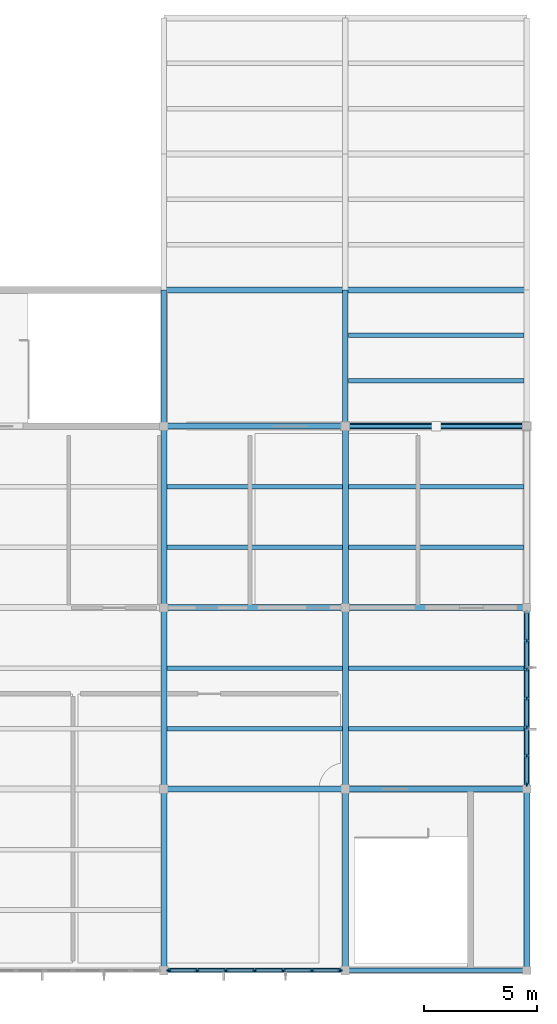
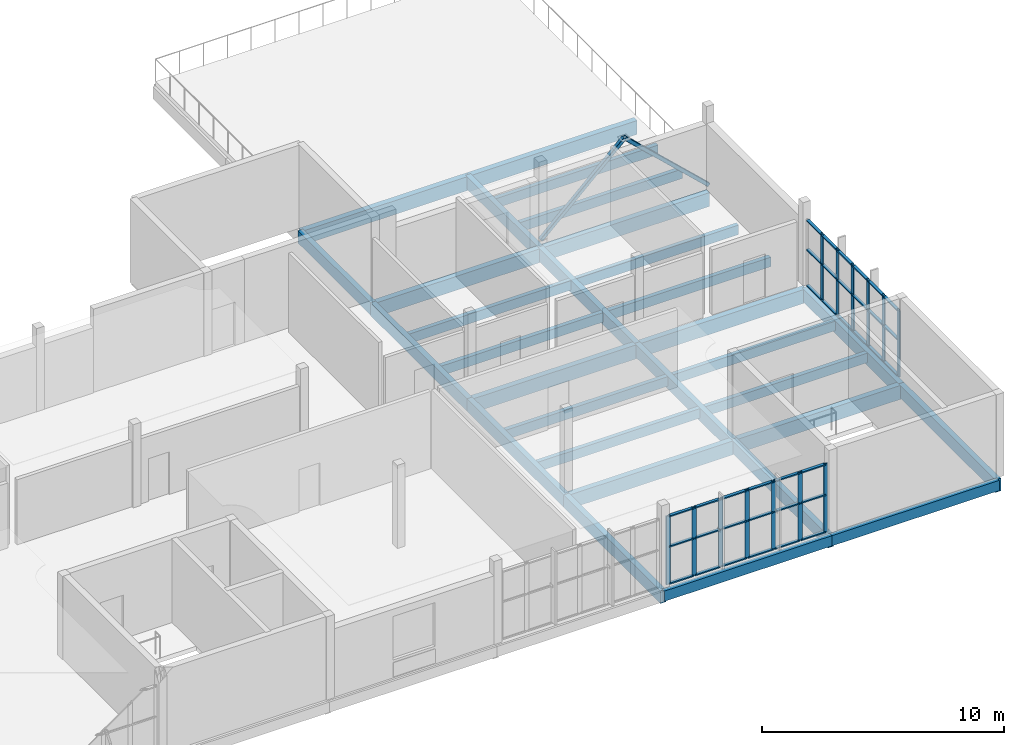
# One storey, part 5 of 15: 51 members, 30 beams, 2 elements without a shape of their own.
"""IFC4 building model written with IfcOpenShell, lengths in metres."""

from ifc_helpers import new_model, si_unit, direction, frame, origin, origin_2d, place, context, subcontext, project, spatial, rectangle, hollow_rectangle, extrude, material, layer, layer_set, material_profile, profile_set, type_object, element, aggregate, save


model = new_model("IFC4")

# Units and contexts
model_context = context("Model", 3, precision=1e-05, world=origin(), true_north=direction((0.0, 1.0)))
body_context = subcontext(model_context, "Body", "Model", "MODEL_VIEW")
ifc_project = project(units=[si_unit("LENGTHUNIT", "METRE"), si_unit("AREAUNIT", "SQUARE_METRE"), si_unit("VOLUMEUNIT", "CUBIC_METRE"), si_unit("PLANEANGLEUNIT", "RADIAN"), si_unit("MASSUNIT", "GRAM", prefix="KILO")], contexts=[model_context])

# Site, building, storey
site_placement = place(None, origin())
site = spatial("IfcSite", under=ifc_project, at=site_placement, CompositionType="ELEMENT")
building_placement = place(site_placement, origin())
building = spatial("IfcBuilding", under=site, at=building_placement, Name="Solvane Community Centre", CompositionType="ELEMENT")
storey_placement = place(building_placement, frame((0.0, 0.0, 18.0)))
storey = spatial("IfcBuildingStorey", under=building, at=storey_placement, Name="L04", CompositionType="ELEMENT", Elevation=18.0)

# Curtain wall, members
ifc_material_1 = material(Name="Anodised bronze aluminium AW-6063 T6", Category="aluminium")
ifc_layer_1 = layer(ifc_material_1, 0.199951171875)
ifc_layer_set_1 = layer_set([ifc_layer_1], Name="Anodised bronze aluminium AW-6063 T6")
curtain_wall_type_1 = type_object("IfcCurtainWallType", Name="Courtyard Cloister Curtain Wall [76x35dm]", PredefinedType="NOTDEFINED", material=ifc_layer_set_1)
curtain_wall_1_placement = place(storey_placement, origin())
curtain_wall_1 = element("IfcCurtainWall", 1, at=curtain_wall_1_placement, inside=storey, type_object=curtain_wall_type_1, Name="Curtain Wall CW-L04-1318_60-231", PredefinedType="NOTDEFINED")
ifc_material_profile_1 = material_profile(ifc_material_1, rectangle(XDim=0.06005859375, YDim=0.199951171875, at=origin_2d()), Name="CW-M 60x200")
ifc_profile_set_1 = profile_set([ifc_material_profile_1], Name="Anodised bronze aluminium AW-6063 T6")
member_type_1 = type_object("IfcMemberType", Name="Cloister Mullion 60x200", PredefinedType="MULLION", material=ifc_profile_set_1)
member_1_placement = place(storey_placement, frame((131.764892578125, 6.0, 0.0), z_axis=(0.0, 0.0, 1.0), x_axis=(0.0, -1.0, 0.0)))
member_1 = element("IfcMember", 2, at=member_1_placement, type_object=member_type_1, Name="CW03-76x35 mullion 1", PredefinedType="MULLION", context=body_context, shape_type="SweptSolid", body=[
    extrude(rectangle(XDim=0.06005859375, YDim=0.199951171875, at=origin_2d()), origin(), (0.0, 0.0, 1.0), 3.465087890625),
])
member_2_placement = place(storey_placement, frame((130.530029296875, 6.0, 0.0), z_axis=(0.0, 0.0, 1.0), x_axis=(0.0, -1.0, 0.0)))
member_2 = element("IfcMember", 3, at=member_2_placement, type_object=member_type_1, Name="CW03-76x35 mullion 2", PredefinedType="MULLION", context=body_context, shape_type="SweptSolid", body=[
    extrude(rectangle(XDim=0.06005859375, YDim=0.199951171875, at=origin_2d()), origin(), (0.0, 0.0, 1.0), 3.465087890625),
])
member_3_placement = place(storey_placement, frame((129.264892578125, 6.0, 0.0), z_axis=(0.0, 0.0, 1.0), x_axis=(0.0, -1.0, 0.0)))
member_3 = element("IfcMember", 4, at=member_3_placement, type_object=member_type_1, Name="CW03-76x35 mullion 3", PredefinedType="MULLION", context=body_context, shape_type="SweptSolid", body=[
    extrude(rectangle(XDim=0.06005859375, YDim=0.199951171875, at=origin_2d()), origin(), (0.0, 0.0, 1.0), 3.465087890625),
])
member_4_placement = place(storey_placement, frame((128.0, 6.0, 0.0), z_axis=(0.0, 0.0, 1.0), x_axis=(0.0, -1.0, 0.0)))
member_4 = element("IfcMember", 5, at=member_4_placement, type_object=member_type_1, Name="CW03-76x35 mullion 4", PredefinedType="MULLION", context=body_context, shape_type="SweptSolid", body=[
    extrude(rectangle(XDim=0.06005859375, YDim=0.199951171875, at=origin_2d()), origin(), (0.0, 0.0, 1.0), 3.465087890625),
])
member_5_placement = place(storey_placement, frame((126.735107421875, 6.0, 0.0), z_axis=(0.0, 0.0, 1.0), x_axis=(0.0, -1.0, 0.0)))
member_5 = element("IfcMember", 6, at=member_5_placement, type_object=member_type_1, Name="CW03-76x35 mullion 5", PredefinedType="MULLION", context=body_context, shape_type="SweptSolid", body=[
    extrude(rectangle(XDim=0.06005859375, YDim=0.199951171875, at=origin_2d()), origin(), (0.0, 0.0, 1.0), 3.465087890625),
])
member_6_placement = place(storey_placement, frame((125.469970703125, 6.0, 0.0), z_axis=(0.0, 0.0, 1.0), x_axis=(0.0, -1.0, 0.0)))
member_6 = element("IfcMember", 7, at=member_6_placement, type_object=member_type_1, Name="CW03-76x35 mullion 6", PredefinedType="MULLION", context=body_context, shape_type="SweptSolid", body=[
    extrude(rectangle(XDim=0.06005859375, YDim=0.199951171875, at=origin_2d()), origin(), (0.0, 0.0, 1.0), 3.465087890625),
])
member_7_placement = place(storey_placement, frame((124.235107421875, 6.0, 0.0), z_axis=(0.0, 0.0, 1.0), x_axis=(0.0, -1.0, 0.0)))
member_7 = element("IfcMember", 8, at=member_7_placement, type_object=member_type_1, Name="CW03-76x35 mullion 7", PredefinedType="MULLION", context=body_context, shape_type="SweptSolid", body=[
    extrude(rectangle(XDim=0.06005859375, YDim=0.199951171875, at=origin_2d()), origin(), (0.0, 0.0, 1.0), 3.465087890625),
])

ifc_layer_2 = layer(ifc_material_1, 0.199951171875)
ifc_layer_set_2 = layer_set([ifc_layer_2], Name="Anodised bronze aluminium AW-6063 T6")
curtain_wall_type_2 = type_object("IfcCurtainWallType", Name="Courtyard Cloister Curtain Wall [76x33dm]", PredefinedType="NOTDEFINED", material=ifc_layer_set_2)
curtain_wall_2_placement = place(storey_placement, origin())
curtain_wall_2 = element("IfcCurtainWall", 9, at=curtain_wall_2_placement, inside=storey, type_object=curtain_wall_type_2, Name="Curtain Wall CW-L04-1400_218-241", PredefinedType="NOTDEFINED")
member_8_placement = place(storey_placement, frame((140.0, 20.53662109375, 0.0), z_axis=(0.0, 0.0, 1.0), x_axis=(1.0, 0.0, 0.0)))
member_8 = element("IfcMember", 10, at=member_8_placement, type_object=member_type_1, Name="CW03-76x33 mullion 2", PredefinedType="MULLION", context=body_context, shape_type="SweptSolid", body=[
    extrude(rectangle(XDim=0.06005859375, YDim=0.199951171875, at=origin_2d()), origin(), (0.0, 0.0, 1.0), 3.344970703125),
])
member_9_placement = place(storey_placement, frame((140.0, 19.268310546875, 0.0), z_axis=(0.0, 0.0, 1.0), x_axis=(1.0, 0.0, 0.0)))
member_9 = element("IfcMember", 11, at=member_9_placement, type_object=member_type_1, Name="CW03-76x33 mullion 3", PredefinedType="MULLION", context=body_context, shape_type="SweptSolid", body=[
    extrude(rectangle(XDim=0.06005859375, YDim=0.199951171875, at=origin_2d()), origin(), (0.0, 0.0, 1.0), 3.344970703125),
])
member_10_placement = place(storey_placement, frame((140.0, 18.0, 0.0), z_axis=(0.0, 0.0, 1.0), x_axis=(1.0, 0.0, 0.0)))
member_10 = element("IfcMember", 12, at=member_10_placement, type_object=member_type_1, Name="CW03-76x33 mullion 4", PredefinedType="MULLION", context=body_context, shape_type="SweptSolid", body=[
    extrude(rectangle(XDim=0.06005859375, YDim=0.199951171875, at=origin_2d()), origin(), (0.0, 0.0, 1.0), 3.344970703125),
])
member_11_placement = place(storey_placement, frame((140.0, 16.731689453125, 0.0), z_axis=(0.0, 0.0, 1.0), x_axis=(1.0, 0.0, 0.0)))
member_11 = element("IfcMember", 13, at=member_11_placement, type_object=member_type_1, Name="CW03-76x33 mullion 5", PredefinedType="MULLION", context=body_context, shape_type="SweptSolid", body=[
    extrude(rectangle(XDim=0.06005859375, YDim=0.199951171875, at=origin_2d()), origin(), (0.0, 0.0, 1.0), 3.344970703125),
])
member_12_placement = place(storey_placement, frame((140.0, 15.46337890625, 0.0), z_axis=(0.0, 0.0, 1.0), x_axis=(1.0, 0.0, 0.0)))
member_12 = element("IfcMember", 14, at=member_12_placement, type_object=member_type_1, Name="CW03-76x33 mullion 6", PredefinedType="MULLION", context=body_context, shape_type="SweptSolid", body=[
    extrude(rectangle(XDim=0.06005859375, YDim=0.199951171875, at=origin_2d()), origin(), (0.0, 0.0, 1.0), 3.344970703125),
])
member_13_placement = place(storey_placement, frame((140.0, 14.22509765625, 0.0), z_axis=(0.0, 0.0, 1.0), x_axis=(1.0, 0.0, 0.0)))
member_13 = element("IfcMember", 15, at=member_13_placement, type_object=member_type_1, Name="CW03-76x33 mullion 7", PredefinedType="MULLION", context=body_context, shape_type="SweptSolid", body=[
    extrude(rectangle(XDim=0.06005859375, YDim=0.199951171875, at=origin_2d()), origin(), (0.0, 0.0, 1.0), 3.344970703125),
])

# Member
ifc_material_profile_2 = material_profile(ifc_material_1, rectangle(XDim=0.139892578125, YDim=0.06005859375, at=origin_2d()), Name="CW-T 60x140")
ifc_profile_set_2 = profile_set([ifc_material_profile_2], Name="Anodised bronze aluminium AW-6063 T6")
member_type_2 = type_object("IfcMemberType", Name="Cloister Transom 60x140", PredefinedType="USERDEFINED", material=ifc_profile_set_2)
member_14_placement = place(storey_placement, frame((131.735107421875, 6.0, 0.030029296875), z_axis=(-1.0, 0.0, 0.0), x_axis=(0.0, -1.0, 0.0)))
member_14 = element("IfcMember", 16, at=member_14_placement, type_object=member_type_2, Name="CW03-76x35 transom 1.1", ObjectType="TRANSOM", PredefinedType="USERDEFINED", context=body_context, shape_type="SweptSolid", body=[
    extrude(rectangle(XDim=0.139892578125, YDim=0.06005859375, at=origin_2d()), origin(), (0.0, 0.0, 1.0), 1.175048828125),
])

member_15_placement = place(storey_placement, frame((131.735107421875, 6.0, 1.906005859375), z_axis=(-1.0, 0.0, 0.0), x_axis=(0.0, -1.0, 0.0)))
member_15 = element("IfcMember", 17, at=member_15_placement, type_object=member_type_2, Name="CW03-76x35 transom 1.2", ObjectType="TRANSOM", PredefinedType="USERDEFINED", context=body_context, shape_type="SweptSolid", body=[
    extrude(rectangle(XDim=0.139892578125, YDim=0.06005859375, at=origin_2d()), origin(), (0.0, 0.0, 1.0), 1.175048828125),
])

member_16_placement = place(storey_placement, frame((131.735107421875, 6.0, 3.43505859375), z_axis=(-1.0, 0.0, 0.0), x_axis=(0.0, -1.0, 0.0)))
member_16 = element("IfcMember", 18, at=member_16_placement, type_object=member_type_2, Name="CW03-76x35 transom 1.3", ObjectType="TRANSOM", PredefinedType="USERDEFINED", context=body_context, shape_type="SweptSolid", body=[
    extrude(rectangle(XDim=0.139892578125, YDim=0.06005859375, at=origin_2d()), origin(), (0.0, 0.0, 1.0), 1.175048828125),
])

member_17_placement = place(storey_placement, frame((130.5, 6.0, 0.030029296875), z_axis=(-1.0, 0.0, 0.0), x_axis=(0.0, -1.0, 0.0)))
member_17 = element("IfcMember", 19, at=member_17_placement, type_object=member_type_2, Name="CW03-76x35 transom 2.1", ObjectType="TRANSOM", PredefinedType="USERDEFINED", context=body_context, shape_type="SweptSolid", body=[
    extrude(rectangle(XDim=0.139892578125, YDim=0.06005859375, at=origin_2d()), origin(), (0.0, 0.0, 1.0), 1.205078125),
])

member_18_placement = place(storey_placement, frame((130.5, 6.0, 1.906005859375), z_axis=(-1.0, 0.0, 0.0), x_axis=(0.0, -1.0, 0.0)))
member_18 = element("IfcMember", 20, at=member_18_placement, type_object=member_type_2, Name="CW03-76x35 transom 2.2", ObjectType="TRANSOM", PredefinedType="USERDEFINED", context=body_context, shape_type="SweptSolid", body=[
    extrude(rectangle(XDim=0.139892578125, YDim=0.06005859375, at=origin_2d()), origin(), (0.0, 0.0, 1.0), 1.205078125),
])

member_19_placement = place(storey_placement, frame((130.5, 6.0, 3.43505859375), z_axis=(-1.0, 0.0, 0.0), x_axis=(0.0, -1.0, 0.0)))
member_19 = element("IfcMember", 21, at=member_19_placement, type_object=member_type_2, Name="CW03-76x35 transom 2.3", ObjectType="TRANSOM", PredefinedType="USERDEFINED", context=body_context, shape_type="SweptSolid", body=[
    extrude(rectangle(XDim=0.139892578125, YDim=0.06005859375, at=origin_2d()), origin(), (0.0, 0.0, 1.0), 1.205078125),
])

member_20_placement = place(storey_placement, frame((129.235107421875, 6.0, 0.030029296875), z_axis=(-1.0, 0.0, 0.0), x_axis=(0.0, -1.0, 0.0)))
member_20 = element("IfcMember", 22, at=member_20_placement, type_object=member_type_2, Name="CW03-76x35 transom 3.1", ObjectType="TRANSOM", PredefinedType="USERDEFINED", context=body_context, shape_type="SweptSolid", body=[
    extrude(rectangle(XDim=0.139892578125, YDim=0.06005859375, at=origin_2d()), origin(), (0.0, 0.0, 1.0), 1.205078125),
])

member_21_placement = place(storey_placement, frame((129.235107421875, 6.0, 1.906005859375), z_axis=(-1.0, 0.0, 0.0), x_axis=(0.0, -1.0, 0.0)))
member_21 = element("IfcMember", 23, at=member_21_placement, type_object=member_type_2, Name="CW03-76x35 transom 3.2", ObjectType="TRANSOM", PredefinedType="USERDEFINED", context=body_context, shape_type="SweptSolid", body=[
    extrude(rectangle(XDim=0.139892578125, YDim=0.06005859375, at=origin_2d()), origin(), (0.0, 0.0, 1.0), 1.205078125),
])

member_22_placement = place(storey_placement, frame((129.235107421875, 6.0, 3.43505859375), z_axis=(-1.0, 0.0, 0.0), x_axis=(0.0, -1.0, 0.0)))
member_22 = element("IfcMember", 24, at=member_22_placement, type_object=member_type_2, Name="CW03-76x35 transom 3.3", ObjectType="TRANSOM", PredefinedType="USERDEFINED", context=body_context, shape_type="SweptSolid", body=[
    extrude(rectangle(XDim=0.139892578125, YDim=0.06005859375, at=origin_2d()), origin(), (0.0, 0.0, 1.0), 1.205078125),
])

member_23_placement = place(storey_placement, frame((127.969970703125, 6.0, 0.030029296875), z_axis=(-1.0, 0.0, 0.0), x_axis=(0.0, -1.0, 0.0)))
member_23 = element("IfcMember", 25, at=member_23_placement, type_object=member_type_2, Name="CW03-76x35 transom 4.1", ObjectType="TRANSOM", PredefinedType="USERDEFINED", context=body_context, shape_type="SweptSolid", body=[
    extrude(rectangle(XDim=0.139892578125, YDim=0.06005859375, at=origin_2d()), origin(), (0.0, 0.0, 1.0), 1.205078125),
])

member_24_placement = place(storey_placement, frame((127.969970703125, 6.0, 1.906005859375), z_axis=(-1.0, 0.0, 0.0), x_axis=(0.0, -1.0, 0.0)))
member_24 = element("IfcMember", 26, at=member_24_placement, type_object=member_type_2, Name="CW03-76x35 transom 4.2", ObjectType="TRANSOM", PredefinedType="USERDEFINED", context=body_context, shape_type="SweptSolid", body=[
    extrude(rectangle(XDim=0.139892578125, YDim=0.06005859375, at=origin_2d()), origin(), (0.0, 0.0, 1.0), 1.205078125),
])

member_25_placement = place(storey_placement, frame((127.969970703125, 6.0, 3.43505859375), z_axis=(-1.0, 0.0, 0.0), x_axis=(0.0, -1.0, 0.0)))
member_25 = element("IfcMember", 27, at=member_25_placement, type_object=member_type_2, Name="CW03-76x35 transom 4.3", ObjectType="TRANSOM", PredefinedType="USERDEFINED", context=body_context, shape_type="SweptSolid", body=[
    extrude(rectangle(XDim=0.139892578125, YDim=0.06005859375, at=origin_2d()), origin(), (0.0, 0.0, 1.0), 1.205078125),
])

member_26_placement = place(storey_placement, frame((126.705078125, 6.0, 0.030029296875), z_axis=(-1.0, 0.0, 0.0), x_axis=(0.0, -1.0, 0.0)))
member_26 = element("IfcMember", 28, at=member_26_placement, type_object=member_type_2, Name="CW03-76x35 transom 5.1", ObjectType="TRANSOM", PredefinedType="USERDEFINED", context=body_context, shape_type="SweptSolid", body=[
    extrude(rectangle(XDim=0.139892578125, YDim=0.06005859375, at=origin_2d()), origin(), (0.0, 0.0, 1.0), 1.205078125),
])

member_27_placement = place(storey_placement, frame((126.705078125, 6.0, 1.906005859375), z_axis=(-1.0, 0.0, 0.0), x_axis=(0.0, -1.0, 0.0)))
member_27 = element("IfcMember", 29, at=member_27_placement, type_object=member_type_2, Name="CW03-76x35 transom 5.2", ObjectType="TRANSOM", PredefinedType="USERDEFINED", context=body_context, shape_type="SweptSolid", body=[
    extrude(rectangle(XDim=0.139892578125, YDim=0.06005859375, at=origin_2d()), origin(), (0.0, 0.0, 1.0), 1.205078125),
])

member_28_placement = place(storey_placement, frame((126.705078125, 6.0, 3.43505859375), z_axis=(-1.0, 0.0, 0.0), x_axis=(0.0, -1.0, 0.0)))
member_28 = element("IfcMember", 30, at=member_28_placement, type_object=member_type_2, Name="CW03-76x35 transom 5.3", ObjectType="TRANSOM", PredefinedType="USERDEFINED", context=body_context, shape_type="SweptSolid", body=[
    extrude(rectangle(XDim=0.139892578125, YDim=0.06005859375, at=origin_2d()), origin(), (0.0, 0.0, 1.0), 1.205078125),
])

member_29_placement = place(storey_placement, frame((125.43994140625, 6.0, 0.030029296875), z_axis=(-1.0, 0.0, 0.0), x_axis=(0.0, -1.0, 0.0)))
member_29 = element("IfcMember", 31, at=member_29_placement, type_object=member_type_2, Name="CW03-76x35 transom 6.1", ObjectType="TRANSOM", PredefinedType="USERDEFINED", context=body_context, shape_type="SweptSolid", body=[
    extrude(rectangle(XDim=0.139892578125, YDim=0.06005859375, at=origin_2d()), origin(), (0.0, 0.0, 1.0), 1.175048828125),
])

member_30_placement = place(storey_placement, frame((125.43994140625, 6.0, 1.906005859375), z_axis=(-1.0, 0.0, 0.0), x_axis=(0.0, -1.0, 0.0)))
member_30 = element("IfcMember", 32, at=member_30_placement, type_object=member_type_2, Name="CW03-76x35 transom 6.2", ObjectType="TRANSOM", PredefinedType="USERDEFINED", context=body_context, shape_type="SweptSolid", body=[
    extrude(rectangle(XDim=0.139892578125, YDim=0.06005859375, at=origin_2d()), origin(), (0.0, 0.0, 1.0), 1.175048828125),
])

member_31_placement = place(storey_placement, frame((125.43994140625, 6.0, 3.43505859375), z_axis=(-1.0, 0.0, 0.0), x_axis=(0.0, -1.0, 0.0)))
member_31 = element("IfcMember", 33, at=member_31_placement, type_object=member_type_2, Name="CW03-76x35 transom 6.3", ObjectType="TRANSOM", PredefinedType="USERDEFINED", context=body_context, shape_type="SweptSolid", body=[
    extrude(rectangle(XDim=0.139892578125, YDim=0.06005859375, at=origin_2d()), origin(), (0.0, 0.0, 1.0), 1.175048828125),
])

aggregate(curtain_wall_1, [member_1, member_2, member_3, member_4, member_5, member_6, member_7, member_14, member_15, member_16, member_17, member_18, member_19, member_20, member_21, member_22, member_23, member_24, member_25, member_26, member_27, member_28, member_29, member_30, member_31])

member_32_placement = place(storey_placement, frame((140.0, 21.7451171875, 0.030029296875), z_axis=(0.0, -1.0, 0.0), x_axis=(1.0, 0.0, 0.0)))
member_32 = element("IfcMember", 34, at=member_32_placement, type_object=member_type_2, Name="CW03-76x33 transom 1.1", ObjectType="TRANSOM", PredefinedType="USERDEFINED", context=body_context, shape_type="SweptSolid", body=[
    extrude(rectangle(XDim=0.139892578125, YDim=0.06005859375, at=origin_2d()), origin(), (0.0, 0.0, 1.0), 1.178466796875),
])

member_33_placement = place(storey_placement, frame((140.0, 21.7451171875, 1.840087890625), z_axis=(0.0, -1.0, 0.0), x_axis=(1.0, 0.0, 0.0)))
member_33 = element("IfcMember", 35, at=member_33_placement, type_object=member_type_2, Name="CW03-76x33 transom 1.2", ObjectType="TRANSOM", PredefinedType="USERDEFINED", context=body_context, shape_type="SweptSolid", body=[
    extrude(rectangle(XDim=0.139892578125, YDim=0.06005859375, at=origin_2d()), origin(), (0.0, 0.0, 1.0), 1.178466796875),
])

member_34_placement = place(storey_placement, frame((140.0, 21.7451171875, 3.31494140625), z_axis=(0.0, -1.0, 0.0), x_axis=(1.0, 0.0, 0.0)))
member_34 = element("IfcMember", 36, at=member_34_placement, type_object=member_type_2, Name="CW03-76x33 transom 1.3", ObjectType="TRANSOM", PredefinedType="USERDEFINED", context=body_context, shape_type="SweptSolid", body=[
    extrude(rectangle(XDim=0.139892578125, YDim=0.06005859375, at=origin_2d()), origin(), (0.0, 0.0, 1.0), 1.178466796875),
])

member_35_placement = place(storey_placement, frame((140.0, 20.506591796875, 0.030029296875), z_axis=(0.0, -1.0, 0.0), x_axis=(1.0, 0.0, 0.0)))
member_35 = element("IfcMember", 37, at=member_35_placement, type_object=member_type_2, Name="CW03-76x33 transom 2.1", ObjectType="TRANSOM", PredefinedType="USERDEFINED", context=body_context, shape_type="SweptSolid", body=[
    extrude(rectangle(XDim=0.139892578125, YDim=0.06005859375, at=origin_2d()), origin(), (0.0, 0.0, 1.0), 1.208251953125),
])

member_36_placement = place(storey_placement, frame((140.0, 20.506591796875, 1.840087890625), z_axis=(0.0, -1.0, 0.0), x_axis=(1.0, 0.0, 0.0)))
member_36 = element("IfcMember", 38, at=member_36_placement, type_object=member_type_2, Name="CW03-76x33 transom 2.2", ObjectType="TRANSOM", PredefinedType="USERDEFINED", context=body_context, shape_type="SweptSolid", body=[
    extrude(rectangle(XDim=0.139892578125, YDim=0.06005859375, at=origin_2d()), origin(), (0.0, 0.0, 1.0), 1.208251953125),
])

member_37_placement = place(storey_placement, frame((140.0, 20.506591796875, 3.31494140625), z_axis=(0.0, -1.0, 0.0), x_axis=(1.0, 0.0, 0.0)))
member_37 = element("IfcMember", 39, at=member_37_placement, type_object=member_type_2, Name="CW03-76x33 transom 2.3", ObjectType="TRANSOM", PredefinedType="USERDEFINED", context=body_context, shape_type="SweptSolid", body=[
    extrude(rectangle(XDim=0.139892578125, YDim=0.06005859375, at=origin_2d()), origin(), (0.0, 0.0, 1.0), 1.208251953125),
])

member_38_placement = place(storey_placement, frame((140.0, 19.23828125, 0.030029296875), z_axis=(0.0, -1.0, 0.0), x_axis=(1.0, 0.0, 0.0)))
member_38 = element("IfcMember", 40, at=member_38_placement, type_object=member_type_2, Name="CW03-76x33 transom 3.1", ObjectType="TRANSOM", PredefinedType="USERDEFINED", context=body_context, shape_type="SweptSolid", body=[
    extrude(rectangle(XDim=0.139892578125, YDim=0.06005859375, at=origin_2d()), origin(), (0.0, 0.0, 1.0), 1.208251953125),
])

member_39_placement = place(storey_placement, frame((140.0, 19.23828125, 1.840087890625), z_axis=(0.0, -1.0, 0.0), x_axis=(1.0, 0.0, 0.0)))
member_39 = element("IfcMember", 41, at=member_39_placement, type_object=member_type_2, Name="CW03-76x33 transom 3.2", ObjectType="TRANSOM", PredefinedType="USERDEFINED", context=body_context, shape_type="SweptSolid", body=[
    extrude(rectangle(XDim=0.139892578125, YDim=0.06005859375, at=origin_2d()), origin(), (0.0, 0.0, 1.0), 1.208251953125),
])

member_40_placement = place(storey_placement, frame((140.0, 19.23828125, 3.31494140625), z_axis=(0.0, -1.0, 0.0), x_axis=(1.0, 0.0, 0.0)))
member_40 = element("IfcMember", 42, at=member_40_placement, type_object=member_type_2, Name="CW03-76x33 transom 3.3", ObjectType="TRANSOM", PredefinedType="USERDEFINED", context=body_context, shape_type="SweptSolid", body=[
    extrude(rectangle(XDim=0.139892578125, YDim=0.06005859375, at=origin_2d()), origin(), (0.0, 0.0, 1.0), 1.208251953125),
])

member_41_placement = place(storey_placement, frame((140.0, 17.969970703125, 0.030029296875), z_axis=(0.0, -1.0, 0.0), x_axis=(1.0, 0.0, 0.0)))
member_41 = element("IfcMember", 43, at=member_41_placement, type_object=member_type_2, Name="CW03-76x33 transom 4.1", ObjectType="TRANSOM", PredefinedType="USERDEFINED", context=body_context, shape_type="SweptSolid", body=[
    extrude(rectangle(XDim=0.139892578125, YDim=0.06005859375, at=origin_2d()), origin(), (0.0, 0.0, 1.0), 1.208251953125),
])

member_42_placement = place(storey_placement, frame((140.0, 17.969970703125, 1.840087890625), z_axis=(0.0, -1.0, 0.0), x_axis=(1.0, 0.0, 0.0)))
member_42 = element("IfcMember", 44, at=member_42_placement, type_object=member_type_2, Name="CW03-76x33 transom 4.2", ObjectType="TRANSOM", PredefinedType="USERDEFINED", context=body_context, shape_type="SweptSolid", body=[
    extrude(rectangle(XDim=0.139892578125, YDim=0.06005859375, at=origin_2d()), origin(), (0.0, 0.0, 1.0), 1.208251953125),
])

member_43_placement = place(storey_placement, frame((140.0, 17.969970703125, 3.31494140625), z_axis=(0.0, -1.0, 0.0), x_axis=(1.0, 0.0, 0.0)))
member_43 = element("IfcMember", 45, at=member_43_placement, type_object=member_type_2, Name="CW03-76x33 transom 4.3", ObjectType="TRANSOM", PredefinedType="USERDEFINED", context=body_context, shape_type="SweptSolid", body=[
    extrude(rectangle(XDim=0.139892578125, YDim=0.06005859375, at=origin_2d()), origin(), (0.0, 0.0, 1.0), 1.208251953125),
])

member_44_placement = place(storey_placement, frame((140.0, 16.70166015625, 0.030029296875), z_axis=(0.0, -1.0, 0.0), x_axis=(1.0, 0.0, 0.0)))
member_44 = element("IfcMember", 46, at=member_44_placement, type_object=member_type_2, Name="CW03-76x33 transom 5.1", ObjectType="TRANSOM", PredefinedType="USERDEFINED", context=body_context, shape_type="SweptSolid", body=[
    extrude(rectangle(XDim=0.139892578125, YDim=0.06005859375, at=origin_2d()), origin(), (0.0, 0.0, 1.0), 1.208251953125),
])

member_45_placement = place(storey_placement, frame((140.0, 16.70166015625, 1.840087890625), z_axis=(0.0, -1.0, 0.0), x_axis=(1.0, 0.0, 0.0)))
member_45 = element("IfcMember", 47, at=member_45_placement, type_object=member_type_2, Name="CW03-76x33 transom 5.2", ObjectType="TRANSOM", PredefinedType="USERDEFINED", context=body_context, shape_type="SweptSolid", body=[
    extrude(rectangle(XDim=0.139892578125, YDim=0.06005859375, at=origin_2d()), origin(), (0.0, 0.0, 1.0), 1.208251953125),
])

member_46_placement = place(storey_placement, frame((140.0, 16.70166015625, 3.31494140625), z_axis=(0.0, -1.0, 0.0), x_axis=(1.0, 0.0, 0.0)))
member_46 = element("IfcMember", 48, at=member_46_placement, type_object=member_type_2, Name="CW03-76x33 transom 5.3", ObjectType="TRANSOM", PredefinedType="USERDEFINED", context=body_context, shape_type="SweptSolid", body=[
    extrude(rectangle(XDim=0.139892578125, YDim=0.06005859375, at=origin_2d()), origin(), (0.0, 0.0, 1.0), 1.208251953125),
])

member_47_placement = place(storey_placement, frame((140.0, 15.433349609375, 0.030029296875), z_axis=(0.0, -1.0, 0.0), x_axis=(1.0, 0.0, 0.0)))
member_47 = element("IfcMember", 49, at=member_47_placement, type_object=member_type_2, Name="CW03-76x33 transom 6.1", ObjectType="TRANSOM", PredefinedType="USERDEFINED", context=body_context, shape_type="SweptSolid", body=[
    extrude(rectangle(XDim=0.139892578125, YDim=0.06005859375, at=origin_2d()), origin(), (0.0, 0.0, 1.0), 1.178466796875),
])

member_48_placement = place(storey_placement, frame((140.0, 15.433349609375, 1.840087890625), z_axis=(0.0, -1.0, 0.0), x_axis=(1.0, 0.0, 0.0)))
member_48 = element("IfcMember", 50, at=member_48_placement, type_object=member_type_2, Name="CW03-76x33 transom 6.2", ObjectType="TRANSOM", PredefinedType="USERDEFINED", context=body_context, shape_type="SweptSolid", body=[
    extrude(rectangle(XDim=0.139892578125, YDim=0.06005859375, at=origin_2d()), origin(), (0.0, 0.0, 1.0), 1.178466796875),
])

member_49_placement = place(storey_placement, frame((140.0, 15.433349609375, 3.31494140625), z_axis=(0.0, -1.0, 0.0), x_axis=(1.0, 0.0, 0.0)))
member_49 = element("IfcMember", 51, at=member_49_placement, type_object=member_type_2, Name="CW03-76x33 transom 6.3", ObjectType="TRANSOM", PredefinedType="USERDEFINED", context=body_context, shape_type="SweptSolid", body=[
    extrude(rectangle(XDim=0.139892578125, YDim=0.06005859375, at=origin_2d()), origin(), (0.0, 0.0, 1.0), 1.178466796875),
])

aggregate(curtain_wall_2, [member_8, member_9, member_10, member_11, member_12, member_13, member_32, member_33, member_34, member_35, member_36, member_37, member_38, member_39, member_40, member_41, member_42, member_43, member_44, member_45, member_46, member_47, member_48, member_49])

# Beams
ifc_material_2 = material(Name="Glulam GL28h", Category="wood")
ifc_material_profile_3 = material_profile(ifc_material_2, rectangle(XDim=0.25, YDim=0.6201171875, at=origin_2d()), Name="GL28h 250x620")
ifc_profile_set_3 = profile_set([ifc_material_profile_3], Name="Glulam GL28h")
beam_type_1 = type_object("IfcBeamType", Name="Glulam Bay Beam 250x620", PredefinedType="BEAM", material=ifc_profile_set_3)
for number, where, z_axis, x_axis, name in (
    (52, (124.0, 30.0, -0.530029296875), (0.0, 1.0, 0.0), (-1.0, 0.0, 0.0), "Beam BM-L04-1240_300-1240_360"),
    (53, (132.0, 30.0, -0.530029296875), (0.0, 1.0, 0.0), (-1.0, 0.0, 0.0), "Beam BM-L04-1320_300-1320_360"),
):
    element("IfcBeam", number, at=place(storey_placement, frame(where, z_axis=z_axis, x_axis=x_axis)), inside=storey, type_object=beam_type_1, Name=name, PredefinedType="BEAM", context=body_context, shape_type="SweptSolid", body=[
        extrude(rectangle(XDim=0.25, YDim=0.6201171875, at=origin_2d()), origin(), (0.0, 0.0, 1.0), 6.0),
    ])
ifc_material_profile_4 = material_profile(ifc_material_2, rectangle(XDim=0.27001953125, YDim=0.699951171875, at=origin_2d()), Name="GL28h 270x700")
ifc_profile_set_4 = profile_set([ifc_material_profile_4], Name="Glulam GL28h")
beam_type_2 = type_object("IfcBeamType", Name="Glulam Library Girder 270x700", PredefinedType="USERDEFINED", material=ifc_profile_set_4)
for number, where, z_axis, x_axis, name in (
    (54, (124.0, 14.0, -0.570068359375), (1.0, 0.0, 0.0), (0.0, 1.0, 0.0), "Beam BM-L04-1240_140-1320_140"),
    (55, (132.0, 14.0, -0.570068359375), (1.0, 0.0, 0.0), (0.0, 1.0, 0.0), "Beam BM-L04-1320_140-1400_140"),
    (56, (124.0, 22.0, -0.570068359375), (1.0, 0.0, 0.0), (0.0, 1.0, 0.0), "Beam BM-L04-1240_220-1320_220"),
    (57, (132.0, 22.0, -0.570068359375), (1.0, 0.0, 0.0), (0.0, 1.0, 0.0), "Beam BM-L04-1320_220-1400_220"),
    (58, (124.0, 30.0, -0.570068359375), (1.0, 0.0, 0.0), (0.0, 1.0, 0.0), "Beam BM-L04-1240_300-1320_300"),
    (59, (132.0, 30.0, -0.570068359375), (1.0, 0.0, 0.0), (0.0, 1.0, 0.0), "Beam BM-L04-1320_300-1400_300"),
    (60, (124.0, 36.0, -0.570068359375), (1.0, 0.0, 0.0), (0.0, 1.0, 0.0), "Beam BM-L04-1240_360-1320_360"),
    (61, (132.0, 36.0, -0.570068359375), (1.0, 0.0, 0.0), (0.0, 1.0, 0.0), "Beam BM-L04-1320_360-1400_360"),
):
    element("IfcBeam", number, at=place(storey_placement, frame(where, z_axis=z_axis, x_axis=x_axis)), inside=storey, type_object=beam_type_2, Name=name, ObjectType="GIRDER", PredefinedType="USERDEFINED", context=body_context, shape_type="SweptSolid", body=[
        extrude(rectangle(XDim=0.27001953125, YDim=0.699951171875, at=origin_2d()), origin(), (0.0, 0.0, 1.0), 8.0),
    ])
ifc_material_profile_5 = material_profile(ifc_material_2, rectangle(XDim=0.199951171875, YDim=0.47998046875, at=origin_2d()), Name="GL28h 200x480")
ifc_profile_set_5 = profile_set([ifc_material_profile_5], Name="Glulam GL28h")
beam_type_3 = type_object("IfcBeamType", Name="Glulam Medium Joist 200x480", PredefinedType="JOIST", material=ifc_profile_set_5)
for number, where, z_axis, x_axis, name in (
    (62, (124.1298828125, 16.666748046875, -0.4599609375), (1.0, 0.0, 0.0), (0.0, 1.0, 0.0), "Beam BM-L04-1241_167-1319_167"),
    (63, (124.1298828125, 19.333251953125, -0.4599609375), (1.0, 0.0, 0.0), (0.0, 1.0, 0.0), "Beam BM-L04-1241_193-1319_193"),
    (64, (124.1298828125, 24.666748046875, -0.4599609375), (1.0, 0.0, 0.0), (0.0, 1.0, 0.0), "Beam BM-L04-1241_247-1319_247"),
    (65, (124.1298828125, 27.333251953125, -0.4599609375), (1.0, 0.0, 0.0), (0.0, 1.0, 0.0), "Beam BM-L04-1241_273-1319_273"),
    (66, (132.1298828125, 16.666748046875, -0.4599609375), (1.0, 0.0, 0.0), (0.0, 1.0, 0.0), "Beam BM-L04-1321_167-1399_167"),
    (67, (132.1298828125, 19.333251953125, -0.4599609375), (1.0, 0.0, 0.0), (0.0, 1.0, 0.0), "Beam BM-L04-1321_193-1399_193"),
    (68, (132.1298828125, 24.666748046875, -0.4599609375), (1.0, 0.0, 0.0), (0.0, 1.0, 0.0), "Beam BM-L04-1321_247-1399_247"),
    (69, (132.1298828125, 27.333251953125, -0.4599609375), (1.0, 0.0, 0.0), (0.0, 1.0, 0.0), "Beam BM-L04-1321_273-1399_273"),
    (70, (132.1298828125, 32.0, -0.4599609375), (1.0, 0.0, 0.0), (0.0, 1.0, 0.0), "Beam BM-L04-1321_320-1399_320"),
    (71, (132.1298828125, 34.0, -0.4599609375), (1.0, 0.0, 0.0), (0.0, 1.0, 0.0), "Beam BM-L04-1321_340-1399_340"),
):
    element("IfcBeam", number, at=place(storey_placement, frame(where, z_axis=z_axis, x_axis=x_axis)), inside=storey, type_object=beam_type_3, Name=name, PredefinedType="JOIST", context=body_context, shape_type="SweptSolid", body=[
        extrude(rectangle(XDim=0.199951171875, YDim=0.47998046875, at=origin_2d()), origin(), (0.0, 0.0, 1.0), 7.740234375),
    ])
ifc_material_profile_6 = material_profile(ifc_material_2, rectangle(XDim=0.199951171875, YDim=0.52001953125, at=origin_2d()), Name="GL28h 200x520")
ifc_profile_set_6 = profile_set([ifc_material_profile_6], Name="Glulam GL28h")
beam_type_4 = type_object("IfcBeamType", Name="Glulam Spandrel Beam 200x520", PredefinedType="SPANDREL", material=ifc_profile_set_6)
for number, where, z_axis, x_axis, name in (
    (72, (124.0, 6.0, -0.47998046875), (1.0, 0.0, 0.0), (0.0, 1.0, 0.0), "Beam BM-L04-1240_60-1320_60"),
    (73, (132.0, 6.0, -0.47998046875), (1.0, 0.0, 0.0), (0.0, 1.0, 0.0), "Beam BM-L04-1320_60-1400_60"),
):
    element("IfcBeam", number, at=place(storey_placement, frame(where, z_axis=z_axis, x_axis=x_axis)), inside=storey, type_object=beam_type_4, Name=name, PredefinedType="SPANDREL", context=body_context, shape_type="SweptSolid", body=[
        extrude(rectangle(XDim=0.199951171875, YDim=0.52001953125, at=origin_2d()), origin(), (0.0, 0.0, 1.0), 8.0),
    ])
ifc_material_profile_7 = material_profile(ifc_material_2, rectangle(XDim=0.260009765625, YDim=0.639892578125, at=origin_2d()), Name="GL28h 260x640")
ifc_profile_set_7 = profile_set([ifc_material_profile_7], Name="Glulam GL28h")
beam_type_5 = type_object("IfcBeamType", Name="Glulam Studio Beam 260x640", PredefinedType="BEAM", material=ifc_profile_set_7)
for number, where, z_axis, x_axis, name in (
    (74, (124.0, 6.0, -0.5400390625), (0.0, 1.0, 0.0), (-1.0, 0.0, 0.0), "Beam BM-L04-1240_60-1240_140"),
    (75, (124.0, 14.0, -0.5400390625), (0.0, 1.0, 0.0), (-1.0, 0.0, 0.0), "Beam BM-L04-1240_140-1240_220"),
    (76, (124.0, 22.0, -0.5400390625), (0.0, 1.0, 0.0), (-1.0, 0.0, 0.0), "Beam BM-L04-1240_220-1240_300"),
    (77, (132.0, 6.0, -0.5400390625), (0.0, 1.0, 0.0), (-1.0, 0.0, 0.0), "Beam BM-L04-1320_60-1320_140"),
    (78, (132.0, 14.0, -0.5400390625), (0.0, 1.0, 0.0), (-1.0, 0.0, 0.0), "Beam BM-L04-1320_140-1320_220"),
    (79, (132.0, 22.0, -0.5400390625), (0.0, 1.0, 0.0), (-1.0, 0.0, 0.0), "Beam BM-L04-1320_220-1320_300"),
    (80, (140.0, 6.0, -0.5400390625), (0.0, 1.0, 0.0), (-1.0, 0.0, 0.0), "Beam BM-L04-1400_60-1400_140"),
    (81, (140.0, 14.0, -0.5400390625), (0.0, 1.0, 0.0), (-1.0, 0.0, 0.0), "Beam BM-L04-1400_140-1400_220"),
):
    element("IfcBeam", number, at=place(storey_placement, frame(where, z_axis=z_axis, x_axis=x_axis)), inside=storey, type_object=beam_type_5, Name=name, PredefinedType="BEAM", context=body_context, shape_type="SweptSolid", body=[
        extrude(rectangle(XDim=0.260009765625, YDim=0.639892578125, at=origin_2d()), origin(), (0.0, 0.0, 1.0), 8.0),
    ])

# Members
ifc_material_3 = material(Name="Steel ASTM A572 Grade 50", Category="steel")
ifc_material_profile_8 = material_profile(ifc_material_3, hollow_rectangle(XDim=0.177734375, YDim=0.177734375, WallThickness=0.009521484375, InnerFilletRadius=0.009521484375, OuterFilletRadius=0.01904296875, at=origin_2d()), Name="HSS 178x178x9.5")
ifc_profile_set_8 = profile_set([ifc_material_profile_8], Name="Steel ASTM A572 Grade 50")
member_type_3 = type_object("IfcMemberType", Name="Upper Timber Frame Brace HSS178", PredefinedType="BRACE", material=ifc_profile_set_8)
for number, where, z_axis, x_axis, name in (
    (82, (132.0, 30.0, 0.1201171875), (0.728648974888, 0.0, 0.684887342119), (0.0, 1.0, 0.0), "Member MEM-L04-0388"),
    (83, (140.0, 30.0, 0.1201171875), (-0.728648974888, 0.0, 0.684887342119), (0.0, -1.0, 0.0), "Member MEM-L04-0389"),
):
    element("IfcMember", number, at=place(storey_placement, frame(where, z_axis=z_axis, x_axis=x_axis)), inside=storey, type_object=member_type_3, Name=name, PredefinedType="BRACE", context=body_context, shape_type="SweptSolid", body=[
        extrude(hollow_rectangle(XDim=0.177734375, YDim=0.177734375, WallThickness=0.009521484375, InnerFilletRadius=0.009521484375, OuterFilletRadius=0.01904296875, at=origin_2d()), origin(), (0.0, 0.0, 1.0), 5.489501953125),
    ])

save(model, "model.ifc")
